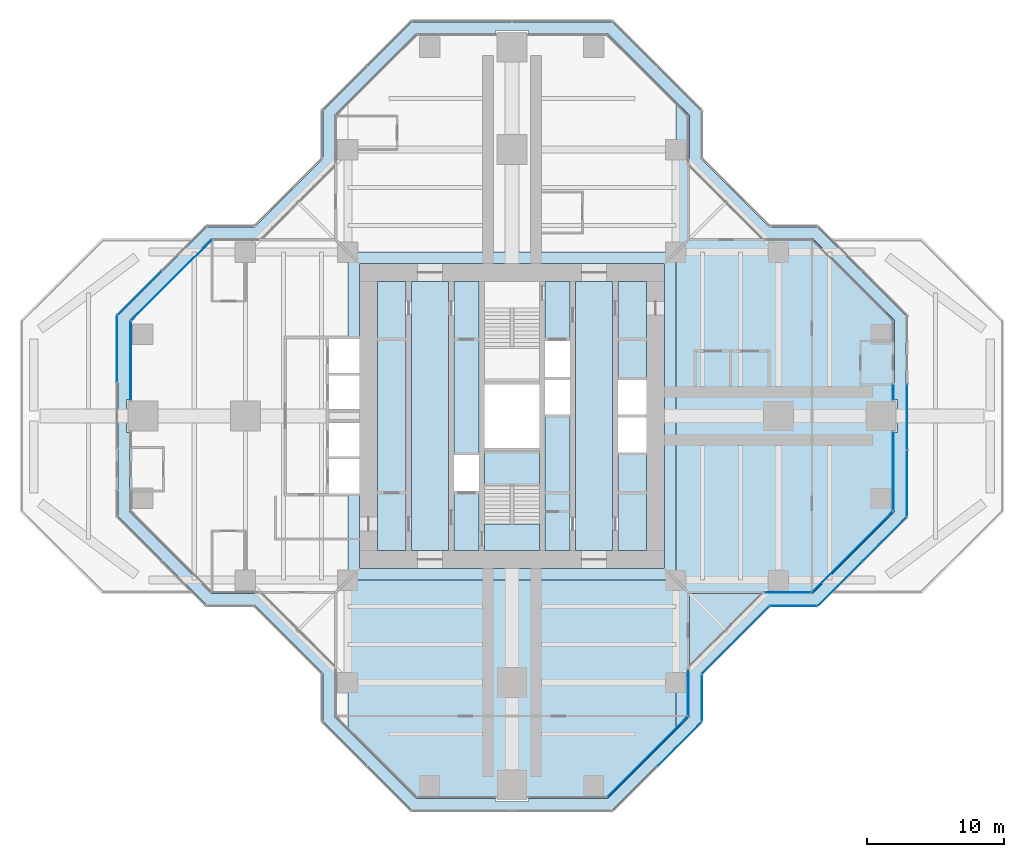
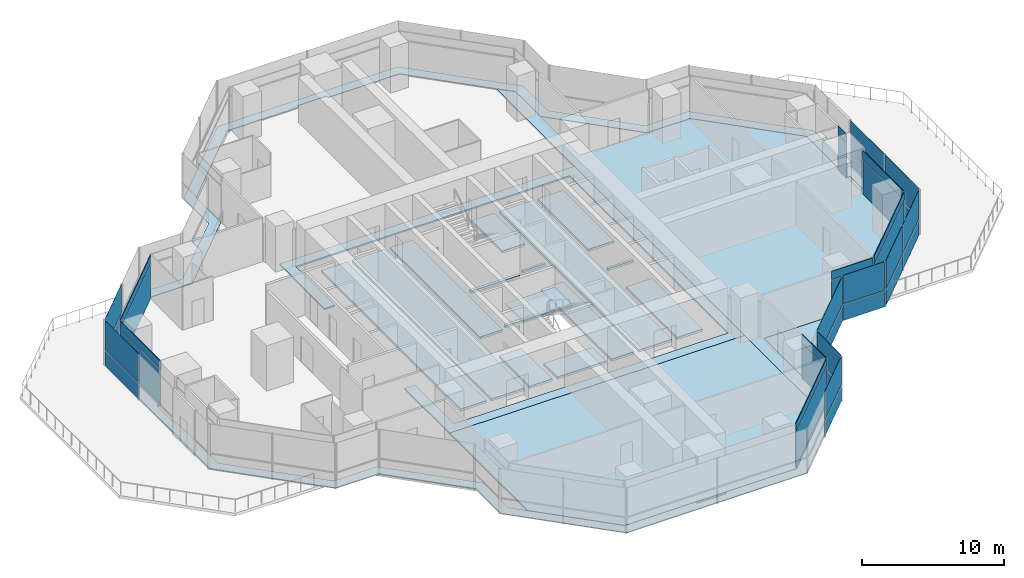
# One storey, part 12 of 19: 37 plates, 7 slabs, 17 elements without a shape of their own.
"""IFC4 building model written with IfcOpenShell, lengths in metres."""

from ifc_helpers import new_model, si_unit, direction, frame, origin, origin_2d, place, context, subcontext, project, spatial, polyline, rectangle, outline, extrude, material, layer, layer_set, type_object, element, aggregate, save


model = new_model("IFC4")

# Units and contexts
model_context = context("Model", 3, precision=1e-05, world=origin(), true_north=direction((0.0, 1.0)))
body_context = subcontext(model_context, "Body", "Model", "MODEL_VIEW")
ifc_project = project(units=[si_unit("LENGTHUNIT", "METRE"), si_unit("AREAUNIT", "SQUARE_METRE"), si_unit("VOLUMEUNIT", "CUBIC_METRE"), si_unit("PLANEANGLEUNIT", "RADIAN"), si_unit("MASSUNIT", "GRAM", prefix="KILO")], contexts=[model_context])

# Site, building, storey
site_placement = place(None, origin())
site = spatial("IfcSite", under=ifc_project, at=site_placement, CompositionType="ELEMENT")
building_placement = place(site_placement, origin())
building = spatial("IfcBuilding", under=site, at=building_placement, Name="Mizan Broadcast Tower", CompositionType="ELEMENT")
storey_placement = place(building_placement, frame((0.0, 0.0, 204.89990234375)))
storey = spatial("IfcBuildingStorey", under=building, at=storey_placement, Name="L47", CompositionType="ELEMENT", Elevation=204.89990234375)

# Plate
ifc_material_1 = material(Name="Aluminium grating", Category="aluminium")
ifc_layer_1 = layer(ifc_material_1, 0.050048828125)
ifc_layer_set_1 = layer_set([ifc_layer_1], Name="Aluminium grating")
plate_type_1 = type_object("IfcPlateType", Name="CAVITY GRATING", PredefinedType="USERDEFINED", material=ifc_layer_set_1)
plate_1_placement = place(storey_placement, frame((0.0, 0.0, -0.0498046875)))
element("IfcPlate", 1, at=plate_1_placement, inside=storey, type_object=plate_type_1, Name="Cavity grating L47", ObjectType="GRATING", PredefinedType="USERDEFINED", context=body_context, shape_type="SweptSolid", body=[
    extrude(outline(polyline([(13.820068359375, -18.839599609375), (18.839599609375, -13.820068359375), (22.339599609375, -13.820068359375), (28.820068359375, -7.339599609375), (28.820068359375, 7.339599609375), (22.339599609375, 13.820068359375), (18.839599609375, 13.820068359375), (13.820068359375, 18.839599609375), (13.820068359375, 22.339599609375), (7.339599609375, 28.820068359375), (-7.339599609375, 28.820068359375), (-13.820068359375, 22.339599609375), (-13.820068359375, 18.839599609375), (-18.839599609375, 13.820068359375), (-22.339599609375, 13.820068359375), (-28.820068359375, 7.339599609375), (-28.820068359375, -7.339599609375), (-22.339599609375, -13.820068359375), (-18.839599609375, -13.820068359375), (-13.820068359375, -18.839599609375), (-13.820068359375, -22.339599609375), (-7.339599609375, -28.820068359375), (7.339599609375, -28.820068359375), (13.820068359375, -22.339599609375), (13.820068359375, -18.839599609375)]), holes=[polyline([(28.0, -1.199951171875), (28.0, -7.0), (22.0, -13.0), (18.5, -13.0), (13.0, -18.5), (13.0, -22.0), (7.0, -28.0), (1.199951171875, -28.0), (1.199951171875, -28.199951171875), (-1.199951171875, -28.199951171875), (-1.199951171875, -28.0), (-7.0, -28.0), (-13.0, -22.0), (-13.0, -18.5), (-18.5, -13.0), (-22.0, -13.0), (-28.0, -7.0), (-28.0, -1.199951171875), (-28.199951171875, -1.199951171875), (-28.199951171875, 1.199951171875), (-28.0, 1.199951171875), (-28.0, 7.0), (-22.0, 13.0), (-18.5, 13.0), (-13.0, 18.5), (-13.0, 22.0), (-7.0, 28.0), (-1.199951171875, 28.0), (-1.199951171875, 28.199951171875), (1.199951171875, 28.199951171875), (1.199951171875, 28.0), (7.0, 28.0), (13.0, 22.0), (13.0, 18.5), (18.5, 13.0), (22.0, 13.0), (28.0, 7.0), (28.0, 1.199951171875), (28.199951171875, 1.199951171875), (28.199951171875, -1.199951171875), (28.0, -1.199951171875)])]), origin(), (0.0, 0.0, 1.0), 0.0498046875),
])

# Slabs
ifc_material_2 = material(Name="Concrete C32/40", Category="concrete")
ifc_layer_2 = layer(ifc_material_2, 0.1298828125)
ifc_layer_set_2 = layer_set([ifc_layer_2], Name="Concrete C32/40")
slab_type_1 = type_object("IfcSlabType", Name="COMPOSITE DECK SLAB 130", PredefinedType="FLOOR", material=ifc_layer_set_2)
slab_1_placement = place(storey_placement, frame((0.0, 0.0, -0.1298828125)))
element("IfcSlab", 2, at=slab_1_placement, inside=storey, type_object=slab_type_1, Name="Floor slab L47 centre", PredefinedType="FLOOR", context=body_context, shape_type="SweptSolid", body=[
    extrude(outline(polyline([(-11.14990234375, -5.64990234375), (-12.0, -5.64990234375), (-12.0, -12.0), (12.0, -12.0), (12.0, 12.0), (-12.0, 12.0), (-12.0, 5.64990234375), (-11.14990234375, 5.64990234375), (-11.14990234375, 11.14990234375), (11.14990234375, 11.14990234375), (11.14990234375, -11.14990234375), (-11.14990234375, -11.14990234375), (-11.14990234375, -5.64990234375)])), origin(), (0.0, 0.0, 1.0), 0.1298828125),
])
slab_2_placement = place(storey_placement, frame((0.0, 0.0, -0.1298828125)))
element("IfcSlab", 3, at=slab_2_placement, inside=storey, type_object=slab_type_1, Name="Floor slab L47 east arm", PredefinedType="FLOOR", context=body_context, shape_type="SweptSolid", body=[
    extrude(outline(polyline([(13.0, 22.0), (12.0, 23.0), (12.0, -23.0), (13.0, -22.0), (13.0, -13.0), (22.0, -13.0), (28.0, -7.0), (28.0, 7.0), (22.0, 13.0), (13.0, 13.0), (13.0, 22.0)])), origin(), (0.0, 0.0, 1.0), 0.1298828125),
])
slab_3_placement = place(storey_placement, frame((0.0, 0.0, -0.1298828125)))
element("IfcSlab", 4, at=slab_3_placement, inside=storey, type_object=slab_type_1, Name="Floor slab L47 south arm", PredefinedType="FLOOR", context=body_context, shape_type="SweptSolid", body=[
    extrude(outline(polyline([(7.0, -28.0), (12.0, -23.0), (12.0, -12.0), (-12.0, -12.0), (-12.0, -23.0), (-7.0, -28.0), (7.0, -28.0)])), origin(), (0.0, 0.0, 1.0), 0.1298828125),
])
ifc_material_3 = material(Name="Concrete C40/50", Category="concrete")
ifc_layer_3 = layer(ifc_material_3, 0.199951171875)
ifc_layer_set_3 = layer_set([ifc_layer_3], Name="Concrete C40/50")
slab_type_2 = type_object("IfcSlabType", Name="CORE FLOOR 200", PredefinedType="FLOOR", material=ifc_layer_set_3)
slab_4_placement = place(storey_placement, frame((0.0, 0.0, -0.199951171875)))
element("IfcSlab", 5, at=slab_4_placement, inside=storey, type_object=slab_type_2, Name="Core floor L47", PredefinedType="FLOOR", context=body_context, shape_type="SweptSolid", body=[
    extrude(outline(polyline([(-9.85009765625, -9.85009765625), (-7.75, -9.85009765625), (-7.75, 9.85009765625), (-9.85009765625, 9.85009765625), (-9.85009765625, -9.85009765625)])), origin(), (0.0, 0.0, 1.0), 0.199951171875),
    extrude(outline(polyline([(-4.64990234375, 9.85009765625), (-7.35009765625, 9.85009765625), (-7.35009765625, -9.85009765625), (-4.64990234375, -9.85009765625), (-4.64990234375, 9.85009765625)])), origin(), (0.0, 0.0, 1.0), 0.199951171875),
    extrude(outline(polyline([(-4.25, -5.5), (-4.25, -9.85009765625), (-2.39990234375, -9.85009765625), (-2.39990234375, -5.5), (-4.25, -5.5)])), origin(), (0.0, 0.0, 1.0), 0.199951171875),
    extrude(outline(polyline([(-4.25, -2.85009765625), (-2.39990234375, -2.85009765625), (-2.39990234375, 9.85009765625), (-4.25, 9.85009765625), (-4.25, -2.85009765625)])), origin(), (0.0, 0.0, 1.0), 0.199951171875),
    extrude(outline(polyline([(2.0, -2.324951171875), (-2.0, -2.324951171875), (-2.0, -2.574951171875), (2.0, -2.574951171875), (2.0, -2.324951171875)])), origin(), (0.0, 0.0, 1.0), 0.199951171875),
    extrude(outline(polyline([(2.0, 2.574951171875), (-2.0, 2.574951171875), (-2.0, 2.324951171875), (2.0, 2.324951171875), (2.0, 2.574951171875)])), origin(), (0.0, 0.0, 1.0), 0.199951171875),
    extrude(outline(polyline([(4.25, -9.85009765625), (4.25, 0.10009765625), (2.39990234375, 0.10009765625), (2.39990234375, -9.85009765625), (4.25, -9.85009765625)])), origin(), (0.0, 0.0, 1.0), 0.199951171875),
    extrude(outline(polyline([(4.25, 2.64990234375), (4.25, 2.85009765625), (2.39990234375, 2.85009765625), (2.39990234375, 2.64990234375), (4.25, 2.64990234375)])), origin(), (0.0, 0.0, 1.0), 0.199951171875),
    extrude(outline(polyline([(4.25, 5.5), (4.25, 9.85009765625), (2.39990234375, 9.85009765625), (2.39990234375, 5.5), (4.25, 5.5)])), origin(), (0.0, 0.0, 1.0), 0.199951171875),
    extrude(outline(polyline([(4.64990234375, 9.85009765625), (4.64990234375, -9.85009765625), (7.35009765625, -9.85009765625), (7.35009765625, 9.85009765625), (4.64990234375, 9.85009765625)])), origin(), (0.0, 0.0, 1.0), 0.199951171875),
    extrude(outline(polyline([(9.85009765625, -9.85009765625), (9.85009765625, -2.64990234375), (7.75, -2.64990234375), (7.75, -9.85009765625), (9.85009765625, -9.85009765625)])), origin(), (0.0, 0.0, 1.0), 0.199951171875),
    extrude(outline(polyline([(9.85009765625, -0.10009765625), (9.85009765625, 0.10009765625), (7.75, 0.10009765625), (7.75, -0.10009765625), (9.85009765625, -0.10009765625)])), origin(), (0.0, 0.0, 1.0), 0.199951171875),
    extrude(outline(polyline([(7.75, 9.85009765625), (7.75, 2.64990234375), (9.85009765625, 2.64990234375), (9.85009765625, 9.85009765625), (7.75, 9.85009765625)])), origin(), (0.0, 0.0, 1.0), 0.199951171875),
])

# Curtain wall, plate
ifc_material_4 = material(Name="Aluminium framed glazing", Category="aluminium")
curtain_wall_type_1 = type_object("IfcCurtainWallType", Name="INNER SKIN HIGH ZONE", PredefinedType="USERDEFINED", material=ifc_material_4)
curtain_wall_1_placement = place(storey_placement, origin())
curtain_wall_1 = element("IfcCurtainWall", 6, at=curtain_wall_1_placement, inside=storey, type_object=curtain_wall_type_1, Name="Inner skin high zone L47 E side", ObjectType="INNER SKIN HIGH ZONE", PredefinedType="USERDEFINED")
ifc_material_5 = material(Name="Double glazing, clear low-e", Category="glass")
ifc_layer_4 = layer(ifc_material_5, 0.028076171875)
ifc_layer_set_4 = layer_set([ifc_layer_4], Name="Double glazing, clear low-e")
plate_type_2 = type_object("IfcPlateType", Name="INNER SKIN GLAZING UNIT", PredefinedType="CURTAIN_PANEL", material=ifc_layer_set_4)
plate_2_placement = place(storey_placement, frame((20.229248046875, -12.89990234375, 0.0), z_axis=(0.0, 0.0, 1.0), x_axis=(1.0, 0.0, 0.0)))
plate_2 = element("IfcPlate", 7, at=plate_2_placement, type_object=plate_type_2, Name="Inner skin high zone L47 E side panel 1.1", PredefinedType="CURTAIN_PANEL", context=body_context, shape_type="SweptSolid", body=[
    extrude(rectangle(XDim=3.338623046875, YDim=0.028076171875, at=origin_2d()), origin(), (0.0, 0.0, 1.0), 3.0),
])

curtain_wall_2_placement = place(storey_placement, origin())
curtain_wall_2 = element("IfcCurtainWall", 8, at=curtain_wall_2_placement, inside=storey, type_object=curtain_wall_type_1, Name="Inner skin high zone L47 E chamfer", ObjectType="INNER SKIN HIGH ZONE", PredefinedType="USERDEFINED")
plate_3_placement = place(storey_placement, frame((24.92919921875, -9.92919921875, 0.0), z_axis=(0.0, 0.0, 1.0), x_axis=(0.707106781187, 0.707106781187, 0.0)))
plate_3 = element("IfcPlate", 9, at=plate_3_placement, type_object=plate_type_2, Name="Inner skin high zone L47 E chamfer panel 1.1", PredefinedType="CURTAIN_PANEL", context=body_context, shape_type="SweptSolid", body=[
    extrude(rectangle(XDim=8.282470703125, YDim=0.028076171875, at=origin_2d()), origin(), (0.0, 0.0, 1.0), 3.0),
])

curtain_wall_3_placement = place(storey_placement, origin())
curtain_wall_3 = element("IfcCurtainWall", 10, at=curtain_wall_3_placement, inside=storey, type_object=curtain_wall_type_1, Name="Inner skin high zone L47 E end", ObjectType="INNER SKIN HIGH ZONE", PredefinedType="USERDEFINED")
plate_4_placement = place(storey_placement, frame((27.89990234375, -4.029296875, 0.0), z_axis=(0.0, 0.0, 1.0), x_axis=(0.0, 1.0, 0.0)))
plate_4 = element("IfcPlate", 11, at=plate_4_placement, type_object=plate_type_2, Name="Inner skin high zone L47 E end panel 1.1", PredefinedType="CURTAIN_PANEL", context=body_context, shape_type="SweptSolid", body=[
    extrude(rectangle(XDim=5.738525390625, YDim=0.028076171875, at=origin_2d()), origin(), (0.0, 0.0, 1.0), 3.0),
])

curtain_wall_4_placement = place(storey_placement, origin())
curtain_wall_4 = element("IfcCurtainWall", 12, at=curtain_wall_4_placement, inside=storey, type_object=curtain_wall_type_1, Name="Inner skin high zone L47 E end", ObjectType="INNER SKIN HIGH ZONE", PredefinedType="USERDEFINED")
plate_5_placement = place(storey_placement, frame((27.89990234375, 1.75, 0.0), z_axis=(0.0, 0.0, 1.0), x_axis=(0.0, 1.0, 0.0)))
plate_5 = element("IfcPlate", 13, at=plate_5_placement, type_object=plate_type_2, Name="Inner skin high zone L47 E end panel 1.1", PredefinedType="CURTAIN_PANEL", context=body_context, shape_type="SweptSolid", body=[
    extrude(rectangle(XDim=1.179931640625, YDim=0.028076171875, at=origin_2d()), origin(), (0.0, 0.0, 1.0), 3.0),
])

curtain_wall_5_placement = place(storey_placement, origin())
curtain_wall_5 = element("IfcCurtainWall", 14, at=curtain_wall_5_placement, inside=storey, type_object=curtain_wall_type_1, Name="Inner skin high zone L47 W chamfer", ObjectType="INNER SKIN HIGH ZONE", PredefinedType="USERDEFINED")
plate_6_placement = place(storey_placement, frame((-24.92919921875, 9.92919921875, 0.0), z_axis=(0.0, 0.0, 1.0), x_axis=(-0.707106781187, -0.707106781187, 0.0)))
plate_6 = element("IfcPlate", 15, at=plate_6_placement, type_object=plate_type_2, Name="Inner skin high zone L47 W chamfer panel 1.1", PredefinedType="CURTAIN_PANEL", context=body_context, shape_type="SweptSolid", body=[
    extrude(rectangle(XDim=8.282470703125, YDim=0.028076171875, at=origin_2d()), origin(), (0.0, 0.0, 1.0), 3.0),
])

curtain_wall_6_placement = place(storey_placement, origin())
curtain_wall_6 = element("IfcCurtainWall", 16, at=curtain_wall_6_placement, inside=storey, type_object=curtain_wall_type_1, Name="Inner skin high zone L47 W end", ObjectType="INNER SKIN HIGH ZONE", PredefinedType="USERDEFINED")
plate_7_placement = place(storey_placement, frame((-27.89990234375, 4.029296875, 0.0), z_axis=(0.0, 0.0, 1.0), x_axis=(0.0, -1.0, 0.0)))
plate_7 = element("IfcPlate", 17, at=plate_7_placement, type_object=plate_type_2, Name="Inner skin high zone L47 W end panel 1.1", PredefinedType="CURTAIN_PANEL", context=body_context, shape_type="SweptSolid", body=[
    extrude(rectangle(XDim=5.738525390625, YDim=0.028076171875, at=origin_2d()), origin(), (0.0, 0.0, 1.0), 3.0),
])

curtain_wall_7_placement = place(storey_placement, origin())
curtain_wall_7 = element("IfcCurtainWall", 18, at=curtain_wall_7_placement, inside=storey, type_object=curtain_wall_type_1, Name="Inner skin high zone L47 S chamfer", ObjectType="INNER SKIN HIGH ZONE", PredefinedType="USERDEFINED")
plate_8_placement = place(storey_placement, frame((9.92919921875, -24.92919921875, 0.0), z_axis=(0.0, 0.0, 1.0), x_axis=(0.707106781187, 0.707106781187, 0.0)))
plate_8 = element("IfcPlate", 19, at=plate_8_placement, type_object=plate_type_2, Name="Inner skin high zone L47 S chamfer panel 1.1", PredefinedType="CURTAIN_PANEL", context=body_context, shape_type="SweptSolid", body=[
    extrude(rectangle(XDim=8.282470703125, YDim=0.028076171875, at=origin_2d()), origin(), (0.0, 0.0, 1.0), 3.0),
])

curtain_wall_8_placement = place(storey_placement, origin())
curtain_wall_8 = element("IfcCurtainWall", 20, at=curtain_wall_8_placement, inside=storey, type_object=curtain_wall_type_1, Name="Inner skin high zone L47 S side", ObjectType="INNER SKIN HIGH ZONE", PredefinedType="USERDEFINED")
plate_9_placement = place(storey_placement, frame((12.89990234375, -20.229248046875, 0.0), z_axis=(0.0, 0.0, 1.0), x_axis=(0.0, 1.0, 0.0)))
plate_9 = element("IfcPlate", 21, at=plate_9_placement, type_object=plate_type_2, Name="Inner skin high zone L47 S side panel 1.1", PredefinedType="CURTAIN_PANEL", context=body_context, shape_type="SweptSolid", body=[
    extrude(rectangle(XDim=3.338623046875, YDim=0.028076171875, at=origin_2d()), origin(), (0.0, 0.0, 1.0), 3.0),
])

# Plate
ifc_material_6 = material(Name="Insulated aluminium spandrel panel, pale anodised", Category="aluminium")
ifc_layer_5 = layer(ifc_material_6, 0.050048828125)
ifc_layer_set_5 = layer_set([ifc_layer_5], Name="Insulated aluminium spandrel panel, pale anodised")
plate_type_3 = type_object("IfcPlateType", Name="INNER SKIN SPANDREL PANEL", PredefinedType="CURTAIN_PANEL", material=ifc_layer_set_5)
plate_10_placement = place(storey_placement, frame((20.229248046875, -12.89990234375, 3.06005859375), z_axis=(0.0, 0.0, 1.0), x_axis=(1.0, 0.0, 0.0)))
plate_10 = element("IfcPlate", 22, at=plate_10_placement, type_object=plate_type_3, Name="Inner skin high zone L47 E side panel 1.2", PredefinedType="CURTAIN_PANEL", context=body_context, shape_type="SweptSolid", body=[
    extrude(rectangle(XDim=3.338623046875, YDim=0.050048828125, at=origin_2d()), origin(), (0.0, 0.0, 1.0), 0.7099609375),
])

aggregate(curtain_wall_1, [plate_2, plate_10])

plate_11_placement = place(storey_placement, frame((24.92919921875, -9.92919921875, 3.06005859375), z_axis=(0.0, 0.0, 1.0), x_axis=(0.707106781187, 0.707106781187, 0.0)))
plate_11 = element("IfcPlate", 23, at=plate_11_placement, type_object=plate_type_3, Name="Inner skin high zone L47 E chamfer panel 1.2", PredefinedType="CURTAIN_PANEL", context=body_context, shape_type="SweptSolid", body=[
    extrude(rectangle(XDim=8.282470703125, YDim=0.050048828125, at=origin_2d()), origin(), (0.0, 0.0, 1.0), 0.7099609375),
])

aggregate(curtain_wall_2, [plate_3, plate_11])

plate_12_placement = place(storey_placement, frame((27.89990234375, -4.029296875, 3.06005859375), z_axis=(0.0, 0.0, 1.0), x_axis=(0.0, 1.0, 0.0)))
plate_12 = element("IfcPlate", 24, at=plate_12_placement, type_object=plate_type_3, Name="Inner skin high zone L47 E end panel 1.2", PredefinedType="CURTAIN_PANEL", context=body_context, shape_type="SweptSolid", body=[
    extrude(rectangle(XDim=5.738525390625, YDim=0.050048828125, at=origin_2d()), origin(), (0.0, 0.0, 1.0), 0.7099609375),
])

aggregate(curtain_wall_3, [plate_4, plate_12])

plate_13_placement = place(storey_placement, frame((27.89990234375, 1.75, 3.06005859375), z_axis=(0.0, 0.0, 1.0), x_axis=(0.0, 1.0, 0.0)))
plate_13 = element("IfcPlate", 25, at=plate_13_placement, type_object=plate_type_3, Name="Inner skin high zone L47 E end panel 1.2", PredefinedType="CURTAIN_PANEL", context=body_context, shape_type="SweptSolid", body=[
    extrude(rectangle(XDim=1.179931640625, YDim=0.050048828125, at=origin_2d()), origin(), (0.0, 0.0, 1.0), 0.7099609375),
])

aggregate(curtain_wall_4, [plate_5, plate_13])

plate_14_placement = place(storey_placement, frame((-24.92919921875, 9.92919921875, 3.06005859375), z_axis=(0.0, 0.0, 1.0), x_axis=(-0.707106781187, -0.707106781187, 0.0)))
plate_14 = element("IfcPlate", 26, at=plate_14_placement, type_object=plate_type_3, Name="Inner skin high zone L47 W chamfer panel 1.2", PredefinedType="CURTAIN_PANEL", context=body_context, shape_type="SweptSolid", body=[
    extrude(rectangle(XDim=8.282470703125, YDim=0.050048828125, at=origin_2d()), origin(), (0.0, 0.0, 1.0), 0.7099609375),
])

aggregate(curtain_wall_5, [plate_6, plate_14])

plate_15_placement = place(storey_placement, frame((-27.89990234375, 4.029296875, 3.06005859375), z_axis=(0.0, 0.0, 1.0), x_axis=(0.0, -1.0, 0.0)))
plate_15 = element("IfcPlate", 27, at=plate_15_placement, type_object=plate_type_3, Name="Inner skin high zone L47 W end panel 1.2", PredefinedType="CURTAIN_PANEL", context=body_context, shape_type="SweptSolid", body=[
    extrude(rectangle(XDim=5.738525390625, YDim=0.050048828125, at=origin_2d()), origin(), (0.0, 0.0, 1.0), 0.7099609375),
])

aggregate(curtain_wall_6, [plate_7, plate_15])

plate_16_placement = place(storey_placement, frame((9.92919921875, -24.92919921875, 3.06005859375), z_axis=(0.0, 0.0, 1.0), x_axis=(0.707106781187, 0.707106781187, 0.0)))
plate_16 = element("IfcPlate", 28, at=plate_16_placement, type_object=plate_type_3, Name="Inner skin high zone L47 S chamfer panel 1.2", PredefinedType="CURTAIN_PANEL", context=body_context, shape_type="SweptSolid", body=[
    extrude(rectangle(XDim=8.282470703125, YDim=0.050048828125, at=origin_2d()), origin(), (0.0, 0.0, 1.0), 0.7099609375),
])

aggregate(curtain_wall_7, [plate_8, plate_16])

plate_17_placement = place(storey_placement, frame((12.89990234375, -20.229248046875, 3.06005859375), z_axis=(0.0, 0.0, 1.0), x_axis=(0.0, 1.0, 0.0)))
plate_17 = element("IfcPlate", 29, at=plate_17_placement, type_object=plate_type_3, Name="Inner skin high zone L47 S side panel 1.2", PredefinedType="CURTAIN_PANEL", context=body_context, shape_type="SweptSolid", body=[
    extrude(rectangle(XDim=3.338623046875, YDim=0.050048828125, at=origin_2d()), origin(), (0.0, 0.0, 1.0), 0.7099609375),
])

aggregate(curtain_wall_8, [plate_9, plate_17])

# Curtain wall, plates
ifc_material_7 = material(Name="Aluminium framed glazing", Category="aluminium")
curtain_wall_type_2 = type_object("IfcCurtainWallType", Name="OUTER SKIN", PredefinedType="USERDEFINED", material=ifc_material_7)
curtain_wall_9_placement = place(storey_placement, origin())
curtain_wall_9 = element("IfcCurtainWall", 30, at=curtain_wall_9_placement, inside=storey, type_object=curtain_wall_type_2, Name="Outer skin L47 E chamfer", ObjectType="OUTER SKIN", PredefinedType="USERDEFINED")
ifc_material_8 = material(Name="Laminated clear glass", Category="glass")
ifc_layer_6 = layer(ifc_material_8, 0.02001953125)
ifc_layer_set_6 = layer_set([ifc_layer_6], Name="Laminated clear glass")
plate_type_4 = type_object("IfcPlateType", Name="OUTER SKIN CLEAR GLASS", PredefinedType="CURTAIN_PANEL", material=ifc_layer_set_6)
plate_18_placement = place(storey_placement, frame((24.018798828125, -12.254150390625, 0.0), z_axis=(0.0, 0.0, 1.0), x_axis=(0.707106781187, 0.707106781187, 0.0)))
plate_18 = element("IfcPlate", 31, at=plate_18_placement, type_object=plate_type_4, Name="Outer skin L47 E chamfer panel 1.1", PredefinedType="CURTAIN_PANEL", context=body_context, shape_type="SweptSolid", body=[
    extrude(rectangle(XDim=4.495361328125, YDim=0.02001953125, at=origin_2d()), origin(), (0.0, 0.0, 1.0), 1.3701171875),
])
plate_19_placement = place(storey_placement, frame((24.018798828125, -12.254150390625, 1.43017578125), z_axis=(0.0, 0.0, 1.0), x_axis=(0.707106781187, 0.707106781187, 0.0)))
plate_19 = element("IfcPlate", 32, at=plate_19_placement, type_object=plate_type_4, Name="Outer skin L47 E chamfer panel 1.2", PredefinedType="CURTAIN_PANEL", context=body_context, shape_type="SweptSolid", body=[
    extrude(rectangle(XDim=4.495361328125, YDim=0.02001953125, at=origin_2d()), origin(), (0.0, 0.0, 1.0), 2.469970703125),
])

curtain_wall_10_placement = place(storey_placement, origin())
curtain_wall_10 = element("IfcCurtainWall", 33, at=curtain_wall_10_placement, inside=storey, type_object=curtain_wall_type_2, Name="Outer skin L47 E end", ObjectType="OUTER SKIN", PredefinedType="USERDEFINED")
plate_20_placement = place(storey_placement, frame((28.89990234375, -4.90966796875, 0.0), z_axis=(0.0, 0.0, 1.0), x_axis=(0.0, 1.0, 0.0)))
plate_20 = element("IfcPlate", 34, at=plate_20_placement, type_object=plate_type_4, Name="Outer skin L47 E end panel 1.1", PredefinedType="CURTAIN_PANEL", context=body_context, shape_type="SweptSolid", body=[
    extrude(rectangle(XDim=4.766357421875, YDim=0.02001953125, at=origin_2d()), origin(), (0.0, 0.0, 1.0), 1.3701171875),
])
plate_21_placement = place(storey_placement, frame((28.89990234375, -4.90966796875, 1.43017578125), z_axis=(0.0, 0.0, 1.0), x_axis=(0.0, 1.0, 0.0)))
plate_21 = element("IfcPlate", 35, at=plate_21_placement, type_object=plate_type_4, Name="Outer skin L47 E end panel 1.2", PredefinedType="CURTAIN_PANEL", context=body_context, shape_type="SweptSolid", body=[
    extrude(rectangle(XDim=4.766357421875, YDim=0.02001953125, at=origin_2d()), origin(), (0.0, 0.0, 1.0), 2.469970703125),
])

curtain_wall_11_placement = place(storey_placement, origin())
curtain_wall_11 = element("IfcCurtainWall", 36, at=curtain_wall_11_placement, inside=storey, type_object=curtain_wall_type_2, Name="Outer skin L47 W end", ObjectType="OUTER SKIN", PredefinedType="USERDEFINED")
plate_22_placement = place(storey_placement, frame((-28.89990234375, 4.90966796875, 0.0), z_axis=(0.0, 0.0, 1.0), x_axis=(0.0, -1.0, 0.0)))
plate_22 = element("IfcPlate", 37, at=plate_22_placement, type_object=plate_type_4, Name="Outer skin L47 W end panel 1.1", PredefinedType="CURTAIN_PANEL", context=body_context, shape_type="SweptSolid", body=[
    extrude(rectangle(XDim=4.766357421875, YDim=0.02001953125, at=origin_2d()), origin(), (0.0, 0.0, 1.0), 1.3701171875),
])
plate_23_placement = place(storey_placement, frame((-28.89990234375, 4.90966796875, 1.43017578125), z_axis=(0.0, 0.0, 1.0), x_axis=(0.0, -1.0, 0.0)))
plate_23 = element("IfcPlate", 38, at=plate_23_placement, type_object=plate_type_4, Name="Outer skin L47 W end panel 1.2", PredefinedType="CURTAIN_PANEL", context=body_context, shape_type="SweptSolid", body=[
    extrude(rectangle(XDim=4.766357421875, YDim=0.02001953125, at=origin_2d()), origin(), (0.0, 0.0, 1.0), 2.469970703125),
])
aggregate(curtain_wall_11, [plate_22, plate_23])

curtain_wall_12_placement = place(storey_placement, origin())
curtain_wall_12 = element("IfcCurtainWall", 39, at=curtain_wall_12_placement, inside=storey, type_object=curtain_wall_type_2, Name="Outer skin L47 S side", ObjectType="OUTER SKIN", PredefinedType="USERDEFINED")
plate_24_placement = place(storey_placement, frame((13.89990234375, -20.622802734375, 0.0), z_axis=(0.0, 0.0, 1.0), x_axis=(0.0, 1.0, 0.0)))
plate_24 = element("IfcPlate", 40, at=plate_24_placement, type_object=plate_type_4, Name="Outer skin L47 S side panel 1.1", PredefinedType="CURTAIN_PANEL", context=body_context, shape_type="SweptSolid", body=[
    extrude(rectangle(XDim=3.340087890625, YDim=0.02001953125, at=origin_2d()), origin(), (0.0, 0.0, 1.0), 1.3701171875),
])
plate_25_placement = place(storey_placement, frame((13.89990234375, -20.622802734375, 1.43017578125), z_axis=(0.0, 0.0, 1.0), x_axis=(0.0, 1.0, 0.0)))
plate_25 = element("IfcPlate", 41, at=plate_25_placement, type_object=plate_type_4, Name="Outer skin L47 S side panel 1.2", PredefinedType="CURTAIN_PANEL", context=body_context, shape_type="SweptSolid", body=[
    extrude(rectangle(XDim=3.340087890625, YDim=0.02001953125, at=origin_2d()), origin(), (0.0, 0.0, 1.0), 2.469970703125),
])
aggregate(curtain_wall_12, [plate_24, plate_25])

curtain_wall_13_placement = place(storey_placement, origin())
curtain_wall_13 = element("IfcCurtainWall", 42, at=curtain_wall_13_placement, inside=storey, type_object=curtain_wall_type_2, Name="Outer skin L47 E chamfer", ObjectType="OUTER SKIN", PredefinedType="USERDEFINED")
plate_26_placement = place(storey_placement, frame((16.386474609375, -16.386474609375, 0.0), z_axis=(0.0, 0.0, 1.0), x_axis=(0.707106781187, 0.707106781187, 0.0)))
plate_26 = element("IfcPlate", 43, at=plate_26_placement, type_object=plate_type_4, Name="Outer skin L47 E chamfer panel 1.1", PredefinedType="CURTAIN_PANEL", context=body_context, shape_type="SweptSolid", body=[
    extrude(rectangle(XDim=6.87255859375, YDim=0.02001953125, at=origin_2d()), origin(), (0.0, 0.0, 1.0), 1.3701171875),
])
plate_27_placement = place(storey_placement, frame((16.386474609375, -16.386474609375, 1.43017578125), z_axis=(0.0, 0.0, 1.0), x_axis=(0.707106781187, 0.707106781187, 0.0)))
plate_27 = element("IfcPlate", 44, at=plate_27_placement, type_object=plate_type_4, Name="Outer skin L47 E chamfer panel 1.2", PredefinedType="CURTAIN_PANEL", context=body_context, shape_type="SweptSolid", body=[
    extrude(rectangle(XDim=6.87255859375, YDim=0.02001953125, at=origin_2d()), origin(), (0.0, 0.0, 1.0), 2.469970703125),
])
aggregate(curtain_wall_13, [plate_26, plate_27])

curtain_wall_14_placement = place(storey_placement, origin())
curtain_wall_14 = element("IfcCurtainWall", 45, at=curtain_wall_14_placement, inside=storey, type_object=curtain_wall_type_2, Name="Outer skin L47 E side", ObjectType="OUTER SKIN", PredefinedType="USERDEFINED")
plate_28_placement = place(storey_placement, frame((20.622802734375, -13.89990234375, 0.0), z_axis=(0.0, 0.0, 1.0), x_axis=(1.0, 0.0, 0.0)))
plate_28 = element("IfcPlate", 46, at=plate_28_placement, type_object=plate_type_4, Name="Outer skin L47 E side panel 1.1", PredefinedType="CURTAIN_PANEL", context=body_context, shape_type="SweptSolid", body=[
    extrude(rectangle(XDim=3.340087890625, YDim=0.02001953125, at=origin_2d()), origin(), (0.0, 0.0, 1.0), 1.3701171875),
])
plate_29_placement = place(storey_placement, frame((20.622802734375, -13.89990234375, 1.43017578125), z_axis=(0.0, 0.0, 1.0), x_axis=(1.0, 0.0, 0.0)))
plate_29 = element("IfcPlate", 47, at=plate_29_placement, type_object=plate_type_4, Name="Outer skin L47 E side panel 1.2", PredefinedType="CURTAIN_PANEL", context=body_context, shape_type="SweptSolid", body=[
    extrude(rectangle(XDim=3.340087890625, YDim=0.02001953125, at=origin_2d()), origin(), (0.0, 0.0, 1.0), 2.469970703125),
])
aggregate(curtain_wall_14, [plate_28, plate_29])

# Plate
ifc_material_9 = material(Name="Perforated aluminium, pale anodised", Category="aluminium")
ifc_layer_7 = layer(ifc_material_9, 0.011962890625)
ifc_layer_set_7 = layer_set([ifc_layer_7], Name="Perforated aluminium, pale anodised")
plate_type_5 = type_object("IfcPlateType", Name="OUTER SKIN PERFORATED SCREEN", PredefinedType="USERDEFINED", material=ifc_layer_set_7)
plate_30_placement = place(storey_placement, frame((27.254150390625, -9.018798828125, 0.0), z_axis=(0.0, 0.0, 1.0), x_axis=(0.707106781187, 0.707106781187, 0.0)))
plate_30 = element("IfcPlate", 48, at=plate_30_placement, type_object=plate_type_5, Name="Outer skin L47 E chamfer panel 2.1", ObjectType="SCREEN", PredefinedType="USERDEFINED", context=body_context, shape_type="SweptSolid", body=[
    extrude(rectangle(XDim=4.495361328125, YDim=0.011962890625, at=origin_2d()), origin(), (0.0, 0.0, 1.0), 1.3701171875),
])

plate_31_placement = place(storey_placement, frame((27.254150390625, -9.018798828125, 1.43017578125), z_axis=(0.0, 0.0, 1.0), x_axis=(0.707106781187, 0.707106781187, 0.0)))
plate_31 = element("IfcPlate", 49, at=plate_31_placement, type_object=plate_type_5, Name="Outer skin L47 E chamfer panel 2.2", ObjectType="SCREEN", PredefinedType="USERDEFINED", context=body_context, shape_type="SweptSolid", body=[
    extrude(rectangle(XDim=4.495361328125, YDim=0.011962890625, at=origin_2d()), origin(), (0.0, 0.0, 1.0), 2.469970703125),
])

aggregate(curtain_wall_9, [plate_18, plate_19, plate_30, plate_31])

plate_32_placement = place(storey_placement, frame((28.89990234375, -0.063232421875, 0.0), z_axis=(0.0, 0.0, 1.0), x_axis=(0.0, 1.0, 0.0)))
plate_32 = element("IfcPlate", 50, at=plate_32_placement, type_object=plate_type_5, Name="Outer skin L47 E end panel 2.1", ObjectType="SCREEN", PredefinedType="USERDEFINED", context=body_context, shape_type="SweptSolid", body=[
    extrude(rectangle(XDim=4.766357421875, YDim=0.011962890625, at=origin_2d()), origin(), (0.0, 0.0, 1.0), 1.3701171875),
])

plate_33_placement = place(storey_placement, frame((28.89990234375, -0.063232421875, 1.43017578125), z_axis=(0.0, 0.0, 1.0), x_axis=(0.0, 1.0, 0.0)))
plate_33 = element("IfcPlate", 51, at=plate_33_placement, type_object=plate_type_5, Name="Outer skin L47 E end panel 2.2", ObjectType="SCREEN", PredefinedType="USERDEFINED", context=body_context, shape_type="SweptSolid", body=[
    extrude(rectangle(XDim=4.766357421875, YDim=0.011962890625, at=origin_2d()), origin(), (0.0, 0.0, 1.0), 2.469970703125),
])

aggregate(curtain_wall_10, [plate_20, plate_21, plate_32, plate_33])

# Curtain wall, plates
curtain_wall_15_placement = place(storey_placement, origin())
curtain_wall_15 = element("IfcCurtainWall", 52, at=curtain_wall_15_placement, inside=storey, type_object=curtain_wall_type_2, Name="Outer skin L47 W chamfer", ObjectType="OUTER SKIN", PredefinedType="USERDEFINED")
plate_34_placement = place(storey_placement, frame((-27.254150390625, 9.018798828125, 0.0), z_axis=(0.0, 0.0, 1.0), x_axis=(-0.707106781187, -0.707106781187, 0.0)))
plate_34 = element("IfcPlate", 53, at=plate_34_placement, type_object=plate_type_5, Name="Outer skin L47 W chamfer panel 2.1", ObjectType="SCREEN", PredefinedType="USERDEFINED", context=body_context, shape_type="SweptSolid", body=[
    extrude(rectangle(XDim=4.495361328125, YDim=0.011962890625, at=origin_2d()), origin(), (0.0, 0.0, 1.0), 1.3701171875),
])
plate_35_placement = place(storey_placement, frame((-27.254150390625, 9.018798828125, 1.43017578125), z_axis=(0.0, 0.0, 1.0), x_axis=(-0.707106781187, -0.707106781187, 0.0)))
plate_35 = element("IfcPlate", 54, at=plate_35_placement, type_object=plate_type_5, Name="Outer skin L47 W chamfer panel 2.2", ObjectType="SCREEN", PredefinedType="USERDEFINED", context=body_context, shape_type="SweptSolid", body=[
    extrude(rectangle(XDim=4.495361328125, YDim=0.011962890625, at=origin_2d()), origin(), (0.0, 0.0, 1.0), 2.469970703125),
])
aggregate(curtain_wall_15, [plate_34, plate_35])

curtain_wall_16_placement = place(storey_placement, origin())
curtain_wall_16 = element("IfcCurtainWall", 55, at=curtain_wall_16_placement, inside=storey, type_object=curtain_wall_type_2, Name="Outer skin L47 S chamfer", ObjectType="OUTER SKIN", PredefinedType="USERDEFINED")
plate_36_placement = place(storey_placement, frame((12.254150390625, -24.018798828125, 0.0), z_axis=(0.0, 0.0, 1.0), x_axis=(0.707106781187, 0.707106781187, 0.0)))
plate_36 = element("IfcPlate", 56, at=plate_36_placement, type_object=plate_type_5, Name="Outer skin L47 S chamfer panel 2.1", ObjectType="SCREEN", PredefinedType="USERDEFINED", context=body_context, shape_type="SweptSolid", body=[
    extrude(rectangle(XDim=4.495361328125, YDim=0.011962890625, at=origin_2d()), origin(), (0.0, 0.0, 1.0), 1.3701171875),
])
plate_37_placement = place(storey_placement, frame((12.254150390625, -24.018798828125, 1.43017578125), z_axis=(0.0, 0.0, 1.0), x_axis=(0.707106781187, 0.707106781187, 0.0)))
plate_37 = element("IfcPlate", 57, at=plate_37_placement, type_object=plate_type_5, Name="Outer skin L47 S chamfer panel 2.2", ObjectType="SCREEN", PredefinedType="USERDEFINED", context=body_context, shape_type="SweptSolid", body=[
    extrude(rectangle(XDim=4.495361328125, YDim=0.011962890625, at=origin_2d()), origin(), (0.0, 0.0, 1.0), 2.469970703125),
])
aggregate(curtain_wall_16, [plate_36, plate_37])

# Stair, slabs
ifc_material_10 = material(Name="Concrete C40/50", Category="concrete")
stair_type = type_object("IfcStairType", Name="EXIT STAIR", PredefinedType="HALF_TURN_STAIR", material=ifc_material_10)
stair_placement = place(storey_placement, origin())
stair = element("IfcStair", 58, at=stair_placement, inside=storey, type_object=stair_type, Name="Stair A L47", PredefinedType="HALF_TURN_STAIR")
ifc_material_11 = material(Name="Concrete C40/50", Category="concrete")
ifc_layer_8 = layer(ifc_material_11, 0.199951171875)
ifc_layer_set_8 = layer_set([ifc_layer_8], Name="Concrete C40/50")
slab_type_3 = type_object("IfcSlabType", Name="STAIR LANDING 200", PredefinedType="LANDING", material=ifc_layer_set_8)
slab_5_placement = place(storey_placement, frame((0.0, 0.0, -0.199951171875)))
slab_5 = element("IfcSlab", 59, at=slab_5_placement, type_object=slab_type_3, Name="A landing 1", PredefinedType="LANDING", context=body_context, shape_type="SweptSolid", body=[
    extrude(outline(polyline([(-2.0, -9.85009765625), (-2.0, -7.89990234375), (2.0, -7.89990234375), (2.0, -9.85009765625), (-2.0, -9.85009765625)])), origin(), (0.0, 0.0, 1.0), 0.199951171875),
])
slab_6_placement = place(storey_placement, frame((0.0, 0.0, 1.75)))
slab_6 = element("IfcSlab", 60, at=slab_6_placement, type_object=slab_type_3, Name="A landing 2", PredefinedType="LANDING", context=body_context, shape_type="SweptSolid", body=[
    extrude(outline(polyline([(-2.0, -5.10009765625), (-2.0, -2.574951171875), (2.0, -2.574951171875), (2.0, -5.10009765625), (-2.0, -5.10009765625)])), origin(), (0.0, 0.0, 1.0), 0.2001953125),
])
aggregate(stair, [slab_5, slab_6])

# Slab
ifc_material_12 = material(Name="Concrete C32/40", Category="concrete")
ifc_layer_9 = layer(ifc_material_12, 0.1298828125)
ifc_layer_set_9 = layer_set([ifc_layer_9], Name="Concrete C32/40")
slab_type_4 = type_object("IfcSlabType", Name="WINTER GARDEN SLAB 130", PredefinedType="FLOOR", material=ifc_layer_set_9)
slab_7_placement = place(storey_placement, frame((0.0, 0.0, -0.1298828125)))
element("IfcSlab", 61, at=slab_7_placement, inside=storey, type_object=slab_type_4, Name="Winter garden slab L47 S", PredefinedType="FLOOR", context=body_context, shape_type="SweptSolid", body=[
    extrude(outline(polyline([(13.0, -13.0), (13.0, -18.5), (18.5, -13.0), (13.0, -13.0)])), origin(), (0.0, 0.0, 1.0), 0.1298828125),
])

save(model, "model.ifc")
